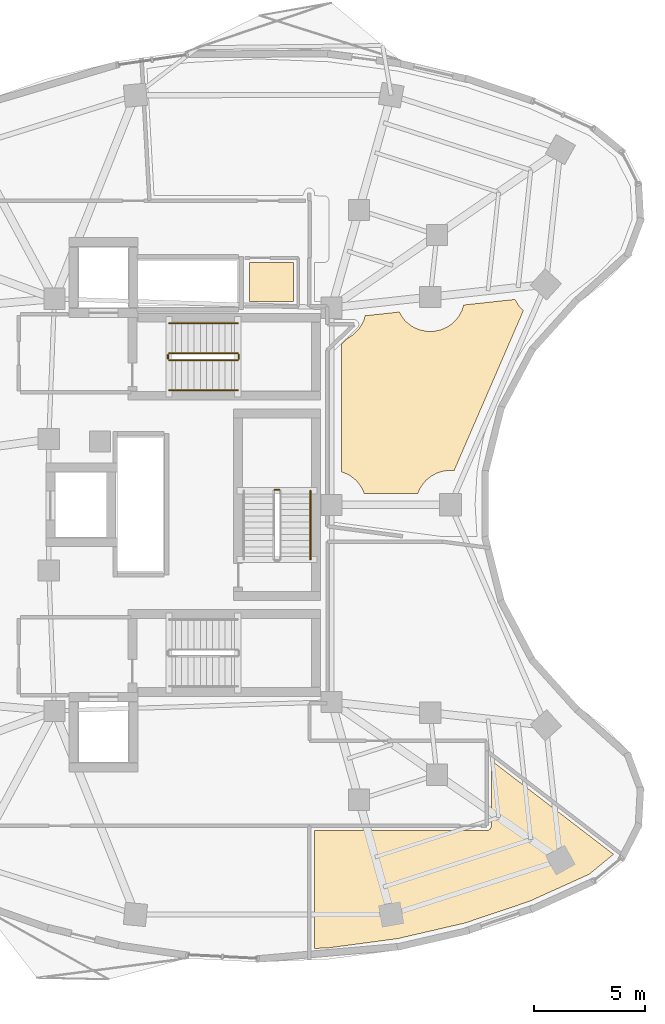
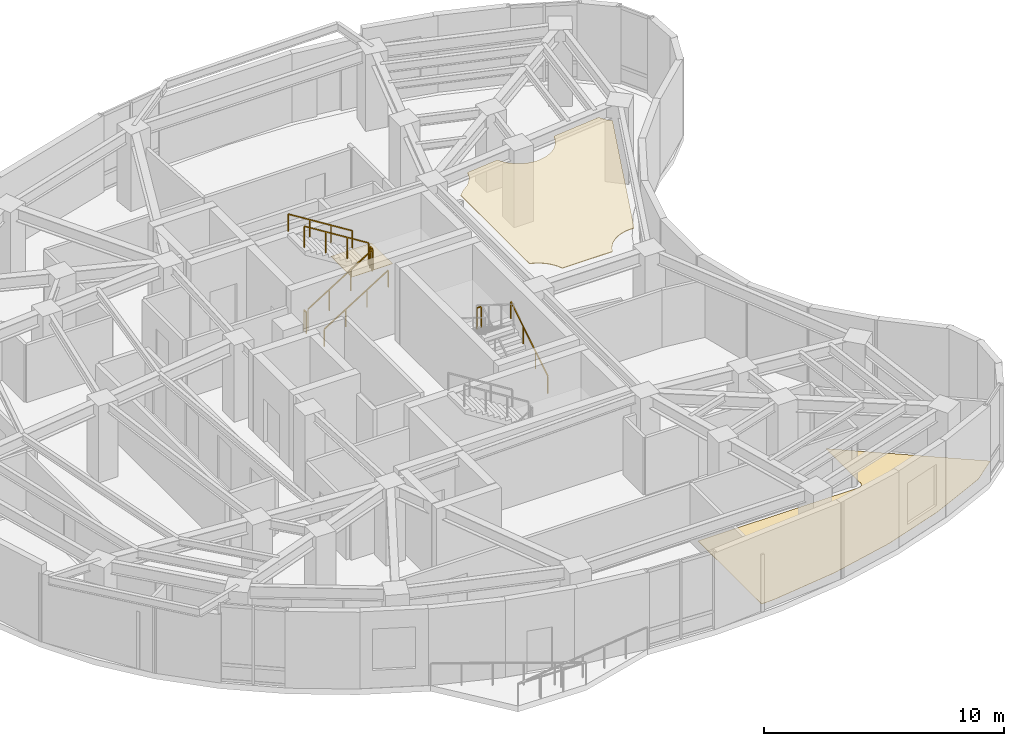
# One storey, part 11 of 12: 8 railings, 3 coverings.
"""IFC4 building model written with IfcOpenShell, lengths in metres."""

from ifc_helpers import new_model, si_unit, direction, frame, origin, origin_2d, place, context, subcontext, project, spatial, polyline, rectangle, outline, extrude, material, layer, layer_set, type_object, element, save


model = new_model("IFC4")

# Units and contexts
model_context = context("Model", 3, precision=1e-05, world=origin(), true_north=direction((0.0, 1.0)))
body_context = subcontext(model_context, "Body", "Model", "MODEL_VIEW")
ifc_project = project(units=[si_unit("LENGTHUNIT", "METRE"), si_unit("AREAUNIT", "SQUARE_METRE"), si_unit("VOLUMEUNIT", "CUBIC_METRE"), si_unit("PLANEANGLEUNIT", "RADIAN"), si_unit("MASSUNIT", "GRAM", prefix="KILO")], contexts=[model_context])

# Site, building, storey
site_placement = place(None, origin())
site = spatial("IfcSite", under=ifc_project, at=site_placement, CompositionType="ELEMENT")
building_placement = place(site_placement, origin())
building = spatial("IfcBuilding", under=site, at=building_placement, Name="Korentha Bioscience Tower", CompositionType="ELEMENT")
storey_placement = place(building_placement, frame((0.0, 0.0, 179.39990234375)))
storey = spatial("IfcBuildingStorey", under=building, at=storey_placement, Name="L41", CompositionType="ELEMENT", Elevation=179.39990234375)

# Covering
ifc_material_1 = material(Name="Vitrified Porcelain Tile", Category="ceramic")
ifc_layer_1 = layer(ifc_material_1, 0.014892578125, Name="Vitrified Porcelain Tile")
ifc_layer_set_1 = layer_set([ifc_layer_1], Name="Vitrified Porcelain Tile (FL-CER)")
covering_type_1 = type_object("IfcCoveringType", Name="Anti-Slip Ceramic Wet-Room Tile Flooring 15", PredefinedType="FLOORING", material=ifc_layer_set_1)
covering_1_placement = place(storey_placement, origin())
element("IfcCovering", 1, at=covering_1_placement, inside=storey, type_object=covering_type_1, Name="L41 Accessible Staff WC Floor Finish", PredefinedType="FLOORING", context=body_context, shape_type="SweptSolid", body=[
    extrude(outline(polyline([(33.8701171875, 36.1298828125), (33.8701171875, 37.8701171875), (35.830078125, 37.8701171875), (35.830078125, 36.1298828125), (33.8701171875, 36.1298828125)])), origin(), (0.0, 0.0, 1.0), 0.01513671875),
])

# Railings
ifc_material_2 = material(Name="Stainless Steel 304", Category="steel")
railing_type_1 = type_object("IfcRailingType", Name="Brushed Stainless Stair Handrail 900", PredefinedType="HANDRAIL", material=ifc_material_2)
railing_1_placement = place(storey_placement, frame((30.25, 32.14990234375, 0.175048828125)))
element("IfcRailing", 2, at=railing_1_placement, inside=storey, type_object=railing_type_1, Name="L41 ST-1 stair handrail 1", PredefinedType="HANDRAIL", context=body_context, shape_type="SweptSolid", body=[
    extrude(rectangle(XDim=0.048095703125, YDim=0.048095703125, at=origin_2d()), frame((0.0, 0.0, 0.8759765625), z_axis=(0.847998304005, 0.0, 0.529998940003), x_axis=(0.0, 1.0, 0.0)), (0.0, 0.0, 1.0), 3.632080078125),
    extrude(rectangle(XDim=0.0419921875, YDim=0.0419921875, at=origin_2d()), origin(), (0.0, 0.0, 1.0), 0.851806640625),
    extrude(rectangle(XDim=0.0419921875, YDim=0.0419921875, at=origin_2d()), frame((1.026611328125, 0.0, 0.6416015625)), (0.0, 0.0, 1.0), 0.851806640625),
    extrude(rectangle(XDim=0.0419921875, YDim=0.0419921875, at=origin_2d()), frame((2.053466796875, 0.0, 1.283447265625)), (0.0, 0.0, 1.0), 0.851806640625),
    extrude(rectangle(XDim=0.0419921875, YDim=0.0419921875, at=origin_2d()), frame((3.080078125, 0.0, 1.925048828125)), (0.0, 0.0, 1.0), 0.851806640625),
])
railing_2_placement = place(storey_placement, frame((33.330078125, 35.14990234375, 2.275146484375)))
element("IfcRailing", 3, at=railing_2_placement, inside=storey, type_object=railing_type_1, Name="L41 ST-1 stair handrail 2", PredefinedType="HANDRAIL", context=body_context, shape_type="SweptSolid", body=[
    extrude(rectangle(XDim=0.048095703125, YDim=0.048095703125, at=origin_2d()), frame((0.0, 0.0, 0.8759765625), z_axis=(-0.847998304005, 0.0, 0.529998940003), x_axis=(0.0, -1.0, 0.0)), (0.0, 0.0, 1.0), 3.632080078125),
    extrude(rectangle(XDim=0.0419921875, YDim=0.0419921875, at=origin_2d()), origin(), (0.0, 0.0, 1.0), 0.851806640625),
    extrude(rectangle(XDim=0.0419921875, YDim=0.0419921875, at=origin_2d()), frame((-1.026611328125, 0.0, 0.6416015625)), (0.0, 0.0, 1.0), 0.851806640625),
    extrude(rectangle(XDim=0.0419921875, YDim=0.0419921875, at=origin_2d()), frame((-2.053466796875, 0.0, 1.283447265625)), (0.0, 0.0, 1.0), 0.851806640625),
    extrude(rectangle(XDim=0.0419921875, YDim=0.0419921875, at=origin_2d()), frame((-3.080078125, 0.0, 1.925048828125)), (0.0, 0.0, 1.0), 0.851806640625),
])
railing_3_placement = place(storey_placement, frame((36.60009765625, 24.550048828125, 0.175048828125)))
element("IfcRailing", 4, at=railing_3_placement, inside=storey, type_object=railing_type_1, Name="L41 ST-3 stair handrail 1", PredefinedType="HANDRAIL", context=body_context, shape_type="SweptSolid", body=[
    extrude(rectangle(XDim=0.048095703125, YDim=0.048095703125, at=origin_2d()), frame((0.0, 0.0, 0.8759765625), z_axis=(0.0, 0.847979421464, 0.530029150871), x_axis=(-1.0, 0.0, 0.0)), (0.0, 0.0, 1.0), 3.632080078125),
    extrude(rectangle(XDim=0.0419921875, YDim=0.0419921875, at=origin_2d()), origin(), (0.0, 0.0, 1.0), 0.851806640625),
    extrude(rectangle(XDim=0.0419921875, YDim=0.0419921875, at=origin_2d()), frame((0.0, 1.026611328125, 0.6416015625)), (0.0, 0.0, 1.0), 0.851806640625),
    extrude(rectangle(XDim=0.0419921875, YDim=0.0419921875, at=origin_2d()), frame((0.0, 2.05322265625, 1.283447265625)), (0.0, 0.0, 1.0), 0.851806640625),
    extrude(rectangle(XDim=0.0419921875, YDim=0.0419921875, at=origin_2d()), frame((0.0, 3.079833984375, 1.925048828125)), (0.0, 0.0, 1.0), 0.851806640625),
])

# Covering
ifc_material_3 = material(Name="Antimicrobial Mineral Fibre Board", Category="gypsum")
ifc_layer_2 = layer(ifc_material_3, 0.034912109375, Name="Antimicrobial Mineral Fibre Board")
ifc_layer_set_2 = layer_set([ifc_layer_2], Name="Antimicrobial Mineral Fibre Board (CL-MF35)")
covering_type_2 = type_object("IfcCoveringType", Name="Mineral-Fibre Cleanroom Suspended Ceiling 35", PredefinedType="CEILING", material=ifc_layer_set_2)
covering_2_placement = place(storey_placement, frame((0.0, 0.0, 3.864990234375)))
element("IfcCovering", 5, at=covering_2_placement, inside=storey, type_object=covering_type_2, Name="L41 Glassware Autoclave Wash Alcove 05 Acoustic Ceiling", PredefinedType="CEILING", context=body_context, shape_type="SweptSolid", body=[
    extrude(outline(polyline([(40.580810546875, 35.656982421875), (40.77587890625, 35.3486328125), (40.878173828125, 35.236083984375), (41.113037109375, 35.043212890625), (41.243408203125, 34.965087890625), (41.524169921875, 34.8486328125), (41.822265625, 34.78955078125), (41.97412109375, 34.781982421875), (42.1259765625, 34.78955078125), (42.424072265625, 34.8486328125), (42.704833984375, 34.965087890625), (42.95751953125, 35.1337890625), (43.070068359375, 35.236083984375), (43.262939453125, 35.470947265625), (43.406005859375, 35.73876953125), (43.47998046875, 35.972900390625), (45.774169921875, 36.222900390625), (45.969482421875, 35.91455078125), (46.15869140625, 35.722900390625), (43.048583984375, 28.540283203125), (42.8818359375, 28.550048828125), (42.57958984375, 28.520263671875), (42.288818359375, 28.431884765625), (42.020751953125, 28.288818359375), (41.785888671875, 28.095947265625), (41.68359375, 27.9833984375), (41.514892578125, 27.730712890625), (41.423583984375, 27.52001953125), (39.00830078125, 27.52001953125), (38.9169921875, 27.730712890625), (38.8388671875, 27.861083984375), (38.64599609375, 28.095947265625), (38.4111328125, 28.288818359375), (38.28076171875, 28.366943359375), (37.989990234375, 28.485595703125), (37.989990234375, 34.20849609375), (38.27099609375, 34.478515625), (38.533203125, 34.65185546875), (38.748291015625, 34.86669921875), (38.9169921875, 35.119384765625), (38.98193359375, 35.2568359375), (39.055908203125, 35.490966796875), (40.580810546875, 35.656982421875)])), origin(), (0.0, 0.0, 1.0), 0.03515625),
])

# Railings
ifc_material_4 = material(Name="Painted Steel S275", Category="steel")
railing_type_2 = type_object("IfcRailingType", Name="Painted Steel Stair Well Guardrail 1100", PredefinedType="GUARDRAIL", material=ifc_material_4)
railing_4_placement = place(storey_placement, frame((30.25, 33.5, 0.175048828125)))
element("IfcRailing", 6, at=railing_4_placement, inside=storey, type_object=railing_type_2, Name="L41 ST-1 stair guard 1", PredefinedType="GUARDRAIL", context=body_context, shape_type="SweptSolid", body=[
    extrude(rectangle(XDim=0.048095703125, YDim=0.048095703125, at=origin_2d()), frame((0.0, 0.0, 1.076171875), z_axis=(0.847998304005, 0.0, 0.529998940003), x_axis=(0.0, 1.0, 0.0)), (0.0, 0.0, 1.0), 3.632080078125),
    extrude(rectangle(XDim=0.0419921875, YDim=0.0419921875, at=origin_2d()), origin(), (0.0, 0.0, 1.0), 1.052001953125),
    extrude(rectangle(XDim=0.0419921875, YDim=0.0419921875, at=origin_2d()), frame((1.026611328125, 0.0, 0.6416015625)), (0.0, 0.0, 1.0), 1.052001953125),
    extrude(rectangle(XDim=0.0419921875, YDim=0.0419921875, at=origin_2d()), frame((2.053466796875, 0.0, 1.283447265625)), (0.0, 0.0, 1.0), 1.052001953125),
    extrude(rectangle(XDim=0.0419921875, YDim=0.0419921875, at=origin_2d()), frame((3.080078125, 0.0, 1.925048828125)), (0.0, 0.0, 1.0), 1.052001953125),
])
railing_5_placement = place(storey_placement, frame((33.3798828125, 33.550048828125, 2.10009765625)))
element("IfcRailing", 7, at=railing_5_placement, inside=storey, type_object=railing_type_2, Name="L41 ST-1 stair guard 2", PredefinedType="GUARDRAIL", context=body_context, shape_type="SweptSolid", body=[
    extrude(rectangle(XDim=0.048095703125, YDim=0.048095703125, at=origin_2d()), frame((0.0, 0.0, 1.076171875), z_axis=(0.0, 1.0, 0.0), x_axis=(-1.0, 0.0, 0.0)), (0.0, 0.0, 1.0), 0.199951171875),
    extrude(rectangle(XDim=0.0419921875, YDim=0.0419921875, at=origin_2d()), origin(), (0.0, 0.0, 1.0), 1.052001953125),
    extrude(rectangle(XDim=0.0419921875, YDim=0.0419921875, at=origin_2d()), frame((0.0, 0.199951171875, 0.0)), (0.0, 0.0, 1.0), 1.052001953125),
])
railing_6_placement = place(storey_placement, frame((33.330078125, 33.800048828125, 2.275146484375)))
element("IfcRailing", 8, at=railing_6_placement, inside=storey, type_object=railing_type_2, Name="L41 ST-1 stair guard 3", PredefinedType="GUARDRAIL", context=body_context, shape_type="SweptSolid", body=[
    extrude(rectangle(XDim=0.048095703125, YDim=0.048095703125, at=origin_2d()), frame((0.0, 0.0, 1.076171875), z_axis=(-0.847998304005, 0.0, 0.529998940003), x_axis=(0.0, -1.0, 0.0)), (0.0, 0.0, 1.0), 3.632080078125),
    extrude(rectangle(XDim=0.0419921875, YDim=0.0419921875, at=origin_2d()), origin(), (0.0, 0.0, 1.0), 1.052001953125),
    extrude(rectangle(XDim=0.0419921875, YDim=0.0419921875, at=origin_2d()), frame((-1.026611328125, 0.0, 0.6416015625)), (0.0, 0.0, 1.0), 1.052001953125),
    extrude(rectangle(XDim=0.0419921875, YDim=0.0419921875, at=origin_2d()), frame((-2.053466796875, 0.0, 1.283447265625)), (0.0, 0.0, 1.0), 1.052001953125),
    extrude(rectangle(XDim=0.0419921875, YDim=0.0419921875, at=origin_2d()), frame((-3.080078125, 0.0, 1.925048828125)), (0.0, 0.0, 1.0), 1.052001953125),
])
railing_7_placement = place(storey_placement, frame((30.199951171875, 33.550048828125, 0.0)))
element("IfcRailing", 9, at=railing_7_placement, inside=storey, type_object=railing_type_2, Name="L41 ST-1 stair guard 4", PredefinedType="GUARDRAIL", context=body_context, shape_type="SweptSolid", body=[
    extrude(rectangle(XDim=0.048095703125, YDim=0.048095703125, at=origin_2d()), frame((0.0, 0.0, 1.076171875), z_axis=(0.0, 1.0, 0.0), x_axis=(-1.0, 0.0, 0.0)), (0.0, 0.0, 1.0), 0.199951171875),
    extrude(rectangle(XDim=0.0419921875, YDim=0.0419921875, at=origin_2d()), origin(), (0.0, 0.0, 1.0), 1.052001953125),
    extrude(rectangle(XDim=0.0419921875, YDim=0.0419921875, at=origin_2d()), frame((0.0, 0.199951171875, 0.0)), (0.0, 0.0, 1.0), 1.052001953125),
])
railing_8_placement = place(storey_placement, frame((35.199951171875, 27.679931640625, 2.10009765625)))
element("IfcRailing", 10, at=railing_8_placement, inside=storey, type_object=railing_type_2, Name="L41 ST-3 stair guard 2", PredefinedType="GUARDRAIL", context=body_context, shape_type="SweptSolid", body=[
    extrude(rectangle(XDim=0.048095703125, YDim=0.048095703125, at=origin_2d()), frame((0.0, 0.0, 1.076171875), z_axis=(-1.0, 0.0, 0.0), x_axis=(0.0, -1.0, 0.0)), (0.0, 0.0, 1.0), 0.199951171875),
    extrude(rectangle(XDim=0.0419921875, YDim=0.0419921875, at=origin_2d()), origin(), (0.0, 0.0, 1.0), 1.052001953125),
    extrude(rectangle(XDim=0.0419921875, YDim=0.0419921875, at=origin_2d()), frame((-0.199951171875, 0.0, 0.0)), (0.0, 0.0, 1.0), 1.052001953125),
])

# Covering
ifc_material_5 = material(Name="Chemical-Resistant Epoxy Resin", Category="polymer")
ifc_layer_3 = layer(ifc_material_5, 0.011962890625, Name="Chemical-Resistant Epoxy Resin")
ifc_layer_set_3 = layer_set([ifc_layer_3], Name="Chemical-Resistant Epoxy Resin (FL-EPX)")
covering_type_3 = type_object("IfcCoveringType", Name="Seamless Epoxy Laboratory Flooring 12", PredefinedType="FLOORING", material=ifc_layer_set_3)
covering_3_placement = place(storey_placement, origin())
element("IfcCovering", 11, at=covering_3_placement, inside=storey, type_object=covering_type_3, Name="L41 Biomechanical Motion Analysis Lab 03 Floor Finish", PredefinedType="FLOORING", context=body_context, shape_type="SweptSolid", body=[
    extrude(outline(polyline([(43.5419921875, 8.224853515625), (40.5166015625, 7.523681640625), (37.402099609375, 7.106201171875), (36.778076171875, 7.081298828125), (36.778076171875, 12.3701171875), (44.5, 12.3701171875), (44.577880859375, 12.383544921875), (44.68505859375, 12.46337890625), (44.729736328125, 12.589111328125), (44.72998046875, 15.509765625), (50.2060546875, 11.307861328125), (49.114013671875, 10.415283203125), (46.433837890625, 9.19921875), (43.5419921875, 8.224853515625)])), origin(), (0.0, 0.0, 1.0), 0.01220703125),
])

save(model, "model.ifc")
